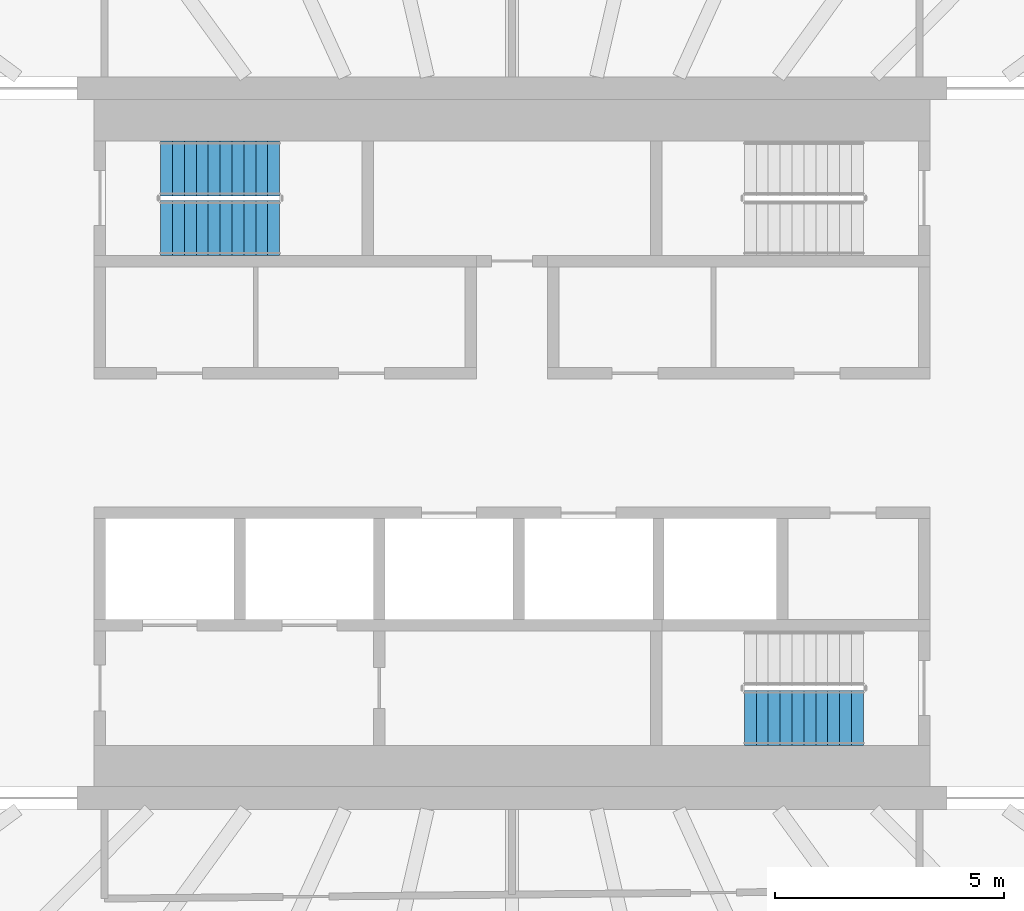
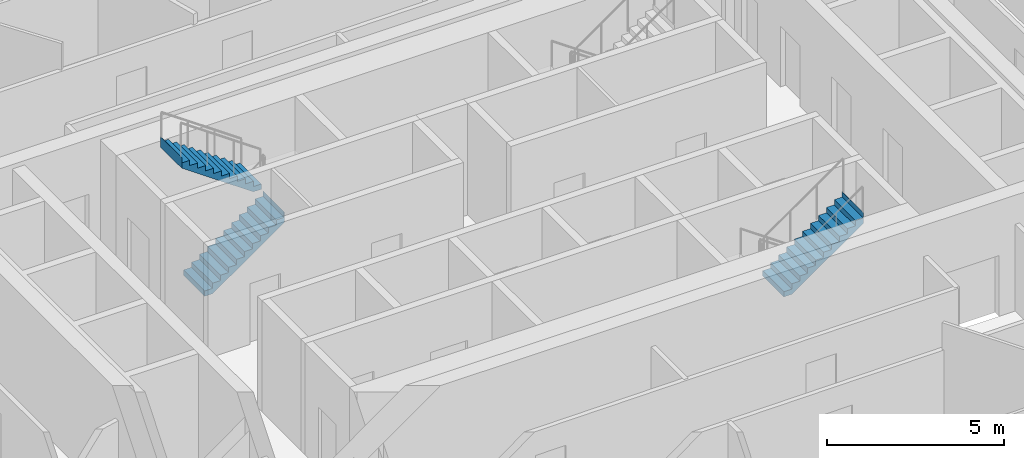
# One storey, part 15 of 22: 3 stair flights, 2 elements without a shape of their own.
"""IFC4 building model written with IfcOpenShell, lengths in metres."""

from ifc_helpers import new_model, si_unit, direction, frame, origin, place, context, subcontext, project, spatial, triangles, material, type_object, element, aggregate, save


model = new_model("IFC4")

# Units and contexts
model_context = context("Model", 3, precision=1e-05, world=origin(), true_north=direction((0.0, 1.0)))
body_context = subcontext(model_context, "Body", "Model", "MODEL_VIEW")
ifc_project = project(units=[si_unit("LENGTHUNIT", "METRE"), si_unit("AREAUNIT", "SQUARE_METRE"), si_unit("VOLUMEUNIT", "CUBIC_METRE"), si_unit("PLANEANGLEUNIT", "RADIAN"), si_unit("MASSUNIT", "GRAM", prefix="KILO")], contexts=[model_context])

# Site, building, storey
site_placement = place(None, origin())
site = spatial("IfcSite", under=ifc_project, at=site_placement, CompositionType="ELEMENT")
building_placement = place(site_placement, origin())
building = spatial("IfcBuilding", under=site, at=building_placement, Name="Sahrelin Media Tower", CompositionType="ELEMENT")
storey_placement = place(building_placement, frame((0.0, 0.0, 177.60009765625)))
storey = spatial("IfcBuildingStorey", under=building, at=storey_placement, Name="L37", CompositionType="ELEMENT", Elevation=177.60009765625)

# Stair, stair flights
ifc_material = material(Name="Concrete C40/50", Category="concrete")
stair_type = type_object("IfcStairType", Name="Exit stair 1200", PredefinedType="HALF_TURN_STAIR", material=ifc_material)
placement = place(storey_placement, origin())
stair_1 = element("IfcStair", 1, at=placement, inside=storey, type_object=stair_type, Name="L37 Exit stair ST1", PredefinedType="HALF_TURN_STAIR")
stair_flight_type = type_object("IfcStairFlightType", Name="Stair flight 1200", PredefinedType="STRAIGHT", material=ifc_material)
stair_flight_1_placement = place(storey_placement, frame((-7.675048828125, 4.699951171875, 0.0), z_axis=(0.0, 0.0, 1.0), x_axis=(1.0, 0.0, 0.0)))
stair_flight_1 = element("IfcStairFlight", 2, at=stair_flight_1_placement, type_object=stair_flight_type, Name="ST1 flight 1", NumberOfRisers=11, NumberOfTreads=10, PredefinedType="STRAIGHT", RiserHeight=0.181818182, TreadLength=0.26, context=body_context, shape_type="Tessellation", body=[
    triangles([(0.261474609375, 0.60009765625, 0.0), (0.261474609375, 0.300048828125, 0.0), (0.261474609375, 0.0, 0.0), (0.261474609375, -0.300048828125, 0.0), (0.261474609375, -0.60009765625, 0.0), (2.60009765625, 0.60009765625, 1.63525390625), (2.60009765625, 0.300048828125, 1.63525390625), (2.60009765625, 0.0, 1.63525390625), (2.60009765625, -0.300048828125, 1.63525390625), (2.60009765625, -0.60009765625, 1.63525390625), (2.60009765625, 0.60009765625, 2.0), (2.60009765625, 0.300048828125, 2.0), (2.60009765625, 0.0, 2.0), (2.60009765625, -0.300048828125, 2.0), (2.60009765625, -0.60009765625, 2.0), (2.597900390625, 0.60009765625, 2.0), (2.597900390625, 0.300048828125, 2.0), (2.597900390625, 0.0, 2.0), (2.597900390625, -0.300048828125, 2.0), (2.597900390625, -0.60009765625, 2.0), (2.597900390625, 0.60009765625, 1.818115234375), (2.597900390625, 0.300048828125, 1.818115234375), (2.597900390625, 0.0, 1.818115234375), (2.597900390625, -0.300048828125, 1.818115234375), (2.597900390625, -0.60009765625, 1.818115234375), (2.340087890625, 0.60009765625, 1.818115234375), (2.340087890625, 0.300048828125, 1.818115234375), (2.340087890625, 0.0, 1.818115234375), (2.340087890625, -0.300048828125, 1.818115234375), (2.340087890625, -0.60009765625, 1.818115234375), (2.340087890625, 0.60009765625, 1.636474609375), (2.340087890625, 0.300048828125, 1.636474609375), (2.340087890625, 0.0, 1.636474609375), (2.340087890625, -0.300048828125, 1.636474609375), (2.340087890625, -0.60009765625, 1.636474609375), (2.080078125, 0.60009765625, 1.636474609375), (2.080078125, 0.300048828125, 1.636474609375), (2.080078125, 0.0, 1.636474609375), (2.080078125, -0.300048828125, 1.636474609375), (2.080078125, -0.60009765625, 1.636474609375), (2.080078125, 0.60009765625, 1.45458984375), (2.080078125, 0.300048828125, 1.45458984375), (2.080078125, 0.0, 1.45458984375), (2.080078125, -0.300048828125, 1.45458984375), (2.080078125, -0.60009765625, 1.45458984375), (1.820068359375, 0.60009765625, 1.45458984375), (1.820068359375, 0.300048828125, 1.45458984375), (1.820068359375, 0.0, 1.45458984375), (1.820068359375, -0.300048828125, 1.45458984375), (1.820068359375, -0.60009765625, 1.45458984375), (1.820068359375, 0.60009765625, 1.272705078125), (1.820068359375, 0.300048828125, 1.272705078125), (1.820068359375, 0.0, 1.272705078125), (1.820068359375, -0.300048828125, 1.272705078125), (1.820068359375, -0.60009765625, 1.272705078125), (1.56005859375, 0.60009765625, 1.272705078125), (1.56005859375, 0.300048828125, 1.272705078125), (1.56005859375, 0.0, 1.272705078125), (1.56005859375, -0.300048828125, 1.272705078125), (1.56005859375, -0.60009765625, 1.272705078125), (1.56005859375, 0.60009765625, 1.0908203125), (1.56005859375, 0.300048828125, 1.0908203125), (1.56005859375, 0.0, 1.0908203125), (1.56005859375, -0.300048828125, 1.0908203125), (1.56005859375, -0.60009765625, 1.0908203125), (1.300048828125, 0.60009765625, 1.0908203125), (1.300048828125, 0.300048828125, 1.0908203125), (1.300048828125, 0.0, 1.0908203125), (1.300048828125, -0.300048828125, 1.0908203125), (1.300048828125, -0.60009765625, 1.0908203125), (1.300048828125, 0.60009765625, 0.9091796875), (1.300048828125, 0.300048828125, 0.9091796875), (1.300048828125, 0.0, 0.9091796875), (1.300048828125, -0.300048828125, 0.9091796875), (1.300048828125, -0.60009765625, 0.9091796875), (1.0400390625, 0.60009765625, 0.9091796875), (1.0400390625, 0.300048828125, 0.9091796875), (1.0400390625, 0.0, 0.9091796875), (1.0400390625, -0.300048828125, 0.9091796875), (1.0400390625, -0.60009765625, 0.9091796875), (1.0400390625, 0.60009765625, 0.727294921875), (1.0400390625, 0.300048828125, 0.727294921875), (1.0400390625, 0.0, 0.727294921875), (1.0400390625, -0.300048828125, 0.727294921875), (1.0400390625, -0.60009765625, 0.727294921875), (0.780029296875, 0.60009765625, 0.727294921875), (0.780029296875, 0.300048828125, 0.727294921875), (0.780029296875, 0.0, 0.727294921875), (0.780029296875, -0.300048828125, 0.727294921875), (0.780029296875, -0.60009765625, 0.727294921875), (0.780029296875, 0.60009765625, 0.54541015625), (0.780029296875, 0.300048828125, 0.54541015625), (0.780029296875, 0.0, 0.54541015625), (0.780029296875, -0.300048828125, 0.54541015625), (0.780029296875, -0.60009765625, 0.54541015625), (0.52001953125, 0.60009765625, 0.54541015625), (0.52001953125, 0.300048828125, 0.54541015625), (0.52001953125, 0.0, 0.54541015625), (0.52001953125, -0.300048828125, 0.54541015625), (0.52001953125, -0.60009765625, 0.54541015625), (0.52001953125, 0.60009765625, 0.363525390625), (0.52001953125, 0.300048828125, 0.363525390625), (0.52001953125, 0.0, 0.363525390625), (0.52001953125, -0.300048828125, 0.363525390625), (0.52001953125, -0.60009765625, 0.363525390625), (0.260009765625, 0.60009765625, 0.363525390625), (0.260009765625, 0.300048828125, 0.363525390625), (0.260009765625, 0.0, 0.363525390625), (0.260009765625, -0.300048828125, 0.363525390625), (0.260009765625, -0.60009765625, 0.363525390625), (0.260009765625, 0.60009765625, 0.181884765625), (0.260009765625, 0.300048828125, 0.181884765625), (0.260009765625, 0.0, 0.181884765625), (0.260009765625, -0.300048828125, 0.181884765625), (0.260009765625, -0.60009765625, 0.181884765625), (0.0, 0.60009765625, 0.181884765625), (0.0, 0.300048828125, 0.181884765625), (0.0, 0.0, 0.181884765625), (0.0, -0.300048828125, 0.181884765625), (0.0, -0.60009765625, 0.181884765625), (0.0, 0.60009765625, 0.0), (0.0, 0.300048828125, 0.0), (0.0, 0.0, 0.0), (0.0, -0.300048828125, 0.0), (0.0, -0.60009765625, 0.0)], [[1, 6, 7], [1, 7, 2], [2, 7, 8], [2, 8, 3], [3, 8, 9], [3, 9, 4], [4, 9, 10], [4, 10, 5], [6, 11, 12], [6, 12, 7], [7, 12, 13], [7, 13, 8], [8, 13, 14], [8, 14, 9], [9, 14, 15], [9, 15, 10], [11, 16, 17], [11, 17, 12], [12, 17, 18], [12, 18, 13], [13, 18, 19], [13, 19, 14], [14, 19, 20], [14, 20, 15], [16, 21, 22], [16, 22, 17], [17, 22, 23], [17, 23, 18], [18, 23, 24], [18, 24, 19], [19, 24, 25], [19, 25, 20], [21, 26, 27], [21, 27, 22], [22, 27, 28], [22, 28, 23], [23, 28, 29], [23, 29, 24], [24, 29, 30], [24, 30, 25], [26, 31, 32], [26, 32, 27], [27, 32, 33], [27, 33, 28], [28, 33, 34], [28, 34, 29], [29, 34, 35], [29, 35, 30], [31, 36, 37], [31, 37, 32], [32, 37, 38], [32, 38, 33], [33, 38, 39], [33, 39, 34], [34, 39, 40], [34, 40, 35], [36, 41, 42], [36, 42, 37], [37, 42, 43], [37, 43, 38], [38, 43, 44], [38, 44, 39], [39, 44, 45], [39, 45, 40], [41, 46, 47], [41, 47, 42], [42, 47, 48], [42, 48, 43], [43, 48, 49], [43, 49, 44], [44, 49, 50], [44, 50, 45], [46, 51, 52], [46, 52, 47], [47, 52, 53], [47, 53, 48], [48, 53, 54], [48, 54, 49], [49, 54, 55], [49, 55, 50], [51, 56, 57], [51, 57, 52], [52, 57, 58], [52, 58, 53], [53, 58, 59], [53, 59, 54], [54, 59, 60], [54, 60, 55], [56, 61, 62], [56, 62, 57], [57, 62, 63], [57, 63, 58], [58, 63, 64], [58, 64, 59], [59, 64, 65], [59, 65, 60], [61, 66, 67], [61, 67, 62], [62, 67, 68], [62, 68, 63], [63, 68, 69], [63, 69, 64], [64, 69, 70], [64, 70, 65], [66, 71, 72], [66, 72, 67], [67, 72, 73], [67, 73, 68], [68, 73, 74], [68, 74, 69], [69, 74, 75], [69, 75, 70], [71, 76, 77], [71, 77, 72], [72, 77, 78], [72, 78, 73], [73, 78, 79], [73, 79, 74], [74, 79, 80], [74, 80, 75], [76, 81, 82], [76, 82, 77], [77, 82, 83], [77, 83, 78], [78, 83, 84], [78, 84, 79], [79, 84, 85], [79, 85, 80], [81, 86, 87], [81, 87, 82], [82, 87, 88], [82, 88, 83], [83, 88, 89], [83, 89, 84], [84, 89, 90], [84, 90, 85], [86, 91, 92], [86, 92, 87], [87, 92, 93], [87, 93, 88], [88, 93, 94], [88, 94, 89], [89, 94, 95], [89, 95, 90], [91, 96, 97], [91, 97, 92], [92, 97, 98], [92, 98, 93], [93, 98, 99], [93, 99, 94], [94, 99, 100], [94, 100, 95], [96, 101, 102], [96, 102, 97], [97, 102, 103], [97, 103, 98], [98, 103, 104], [98, 104, 99], [99, 104, 105], [99, 105, 100], [101, 106, 107], [101, 107, 102], [102, 107, 108], [102, 108, 103], [103, 108, 109], [103, 109, 104], [104, 109, 110], [104, 110, 105], [106, 111, 112], [106, 112, 107], [107, 112, 113], [107, 113, 108], [108, 113, 114], [108, 114, 109], [109, 114, 115], [109, 115, 110], [111, 116, 117], [111, 117, 112], [112, 117, 118], [112, 118, 113], [113, 118, 119], [113, 119, 114], [114, 119, 120], [114, 120, 115], [116, 121, 122], [116, 122, 117], [117, 122, 123], [117, 123, 118], [118, 123, 124], [118, 124, 119], [119, 124, 125], [119, 125, 120], [121, 1, 2], [121, 2, 122], [122, 2, 3], [122, 3, 123], [123, 3, 4], [123, 4, 124], [124, 4, 5], [124, 5, 125], [115, 120, 125], [111, 121, 116], [115, 105, 110], [111, 106, 101], [105, 95, 100], [101, 96, 91], [95, 85, 90], [91, 86, 81], [85, 75, 80], [81, 76, 71], [75, 65, 70], [71, 66, 61], [65, 55, 60], [61, 56, 51], [55, 45, 50], [51, 46, 41], [45, 35, 40], [41, 36, 31], [35, 25, 30], [31, 26, 21], [25, 15, 20], [21, 16, 11], [125, 5, 115], [121, 111, 1], [25, 10, 15], [21, 11, 6], [105, 115, 5], [101, 1, 111], [35, 10, 25], [31, 21, 6], [95, 105, 5], [91, 1, 101], [45, 10, 35], [41, 31, 6], [85, 95, 5], [81, 1, 91], [55, 10, 45], [51, 41, 6], [75, 85, 5], [71, 1, 81], [65, 10, 55], [61, 51, 6], [5, 10, 75], [1, 71, 6], [75, 10, 65], [71, 61, 6]], closed=True),
])
stair_flight_2_placement = place(storey_placement, frame((-5.074951171875, 6.0, 2.0), z_axis=(0.0, 0.0, 1.0), x_axis=(-1.0, 0.0, 0.0)))
stair_flight_2 = element("IfcStairFlight", 3, at=stair_flight_2_placement, type_object=stair_flight_type, Name="ST1 flight 2", NumberOfRisers=11, NumberOfTreads=10, PredefinedType="STRAIGHT", RiserHeight=0.181818182, TreadLength=0.26, context=body_context, shape_type="Tessellation", body=[
    triangles([(0.261474609375, 0.60009765625, 0.0), (0.261474609375, 0.300048828125, 0.0), (0.261474609375, 0.0, 0.0), (0.261474609375, -0.300048828125, 0.0), (0.261474609375, -0.60009765625, 0.0), (2.60009765625, 0.60009765625, 1.63525390625), (2.60009765625, 0.300048828125, 1.63525390625), (2.60009765625, 0.0, 1.63525390625), (2.60009765625, -0.300048828125, 1.63525390625), (2.60009765625, -0.60009765625, 1.63525390625), (2.60009765625, 0.60009765625, 2.0), (2.60009765625, 0.300048828125, 2.0), (2.60009765625, 0.0, 2.0), (2.60009765625, -0.300048828125, 2.0), (2.60009765625, -0.60009765625, 2.0), (2.597900390625, 0.60009765625, 2.0), (2.597900390625, 0.300048828125, 2.0), (2.597900390625, 0.0, 2.0), (2.597900390625, -0.300048828125, 2.0), (2.597900390625, -0.60009765625, 2.0), (2.597900390625, 0.60009765625, 1.818115234375), (2.597900390625, 0.300048828125, 1.818115234375), (2.597900390625, 0.0, 1.818115234375), (2.597900390625, -0.300048828125, 1.818115234375), (2.597900390625, -0.60009765625, 1.818115234375), (2.340087890625, 0.60009765625, 1.818115234375), (2.340087890625, 0.300048828125, 1.818115234375), (2.340087890625, 0.0, 1.818115234375), (2.340087890625, -0.300048828125, 1.818115234375), (2.340087890625, -0.60009765625, 1.818115234375), (2.340087890625, 0.60009765625, 1.636474609375), (2.340087890625, 0.300048828125, 1.636474609375), (2.340087890625, 0.0, 1.636474609375), (2.340087890625, -0.300048828125, 1.636474609375), (2.340087890625, -0.60009765625, 1.636474609375), (2.080078125, 0.60009765625, 1.636474609375), (2.080078125, 0.300048828125, 1.636474609375), (2.080078125, 0.0, 1.636474609375), (2.080078125, -0.300048828125, 1.636474609375), (2.080078125, -0.60009765625, 1.636474609375), (2.080078125, 0.60009765625, 1.45458984375), (2.080078125, 0.300048828125, 1.45458984375), (2.080078125, 0.0, 1.45458984375), (2.080078125, -0.300048828125, 1.45458984375), (2.080078125, -0.60009765625, 1.45458984375), (1.820068359375, 0.60009765625, 1.45458984375), (1.820068359375, 0.300048828125, 1.45458984375), (1.820068359375, 0.0, 1.45458984375), (1.820068359375, -0.300048828125, 1.45458984375), (1.820068359375, -0.60009765625, 1.45458984375), (1.820068359375, 0.60009765625, 1.272705078125), (1.820068359375, 0.300048828125, 1.272705078125), (1.820068359375, 0.0, 1.272705078125), (1.820068359375, -0.300048828125, 1.272705078125), (1.820068359375, -0.60009765625, 1.272705078125), (1.56005859375, 0.60009765625, 1.272705078125), (1.56005859375, 0.300048828125, 1.272705078125), (1.56005859375, 0.0, 1.272705078125), (1.56005859375, -0.300048828125, 1.272705078125), (1.56005859375, -0.60009765625, 1.272705078125), (1.56005859375, 0.60009765625, 1.0908203125), (1.56005859375, 0.300048828125, 1.0908203125), (1.56005859375, 0.0, 1.0908203125), (1.56005859375, -0.300048828125, 1.0908203125), (1.56005859375, -0.60009765625, 1.0908203125), (1.300048828125, 0.60009765625, 1.0908203125), (1.300048828125, 0.300048828125, 1.0908203125), (1.300048828125, 0.0, 1.0908203125), (1.300048828125, -0.300048828125, 1.0908203125), (1.300048828125, -0.60009765625, 1.0908203125), (1.300048828125, 0.60009765625, 0.9091796875), (1.300048828125, 0.300048828125, 0.9091796875), (1.300048828125, 0.0, 0.9091796875), (1.300048828125, -0.300048828125, 0.9091796875), (1.300048828125, -0.60009765625, 0.9091796875), (1.0400390625, 0.60009765625, 0.9091796875), (1.0400390625, 0.300048828125, 0.9091796875), (1.0400390625, 0.0, 0.9091796875), (1.0400390625, -0.300048828125, 0.9091796875), (1.0400390625, -0.60009765625, 0.9091796875), (1.0400390625, 0.60009765625, 0.727294921875), (1.0400390625, 0.300048828125, 0.727294921875), (1.0400390625, 0.0, 0.727294921875), (1.0400390625, -0.300048828125, 0.727294921875), (1.0400390625, -0.60009765625, 0.727294921875), (0.780029296875, 0.60009765625, 0.727294921875), (0.780029296875, 0.300048828125, 0.727294921875), (0.780029296875, 0.0, 0.727294921875), (0.780029296875, -0.300048828125, 0.727294921875), (0.780029296875, -0.60009765625, 0.727294921875), (0.780029296875, 0.60009765625, 0.54541015625), (0.780029296875, 0.300048828125, 0.54541015625), (0.780029296875, 0.0, 0.54541015625), (0.780029296875, -0.300048828125, 0.54541015625), (0.780029296875, -0.60009765625, 0.54541015625), (0.52001953125, 0.60009765625, 0.54541015625), (0.52001953125, 0.300048828125, 0.54541015625), (0.52001953125, 0.0, 0.54541015625), (0.52001953125, -0.300048828125, 0.54541015625), (0.52001953125, -0.60009765625, 0.54541015625), (0.52001953125, 0.60009765625, 0.363525390625), (0.52001953125, 0.300048828125, 0.363525390625), (0.52001953125, 0.0, 0.363525390625), (0.52001953125, -0.300048828125, 0.363525390625), (0.52001953125, -0.60009765625, 0.363525390625), (0.260009765625, 0.60009765625, 0.363525390625), (0.260009765625, 0.300048828125, 0.363525390625), (0.260009765625, 0.0, 0.363525390625), (0.260009765625, -0.300048828125, 0.363525390625), (0.260009765625, -0.60009765625, 0.363525390625), (0.260009765625, 0.60009765625, 0.181884765625), (0.260009765625, 0.300048828125, 0.181884765625), (0.260009765625, 0.0, 0.181884765625), (0.260009765625, -0.300048828125, 0.181884765625), (0.260009765625, -0.60009765625, 0.181884765625), (0.0, 0.60009765625, 0.181884765625), (0.0, 0.300048828125, 0.181884765625), (0.0, 0.0, 0.181884765625), (0.0, -0.300048828125, 0.181884765625), (0.0, -0.60009765625, 0.181884765625), (0.0, 0.60009765625, 0.0), (0.0, 0.300048828125, 0.0), (0.0, 0.0, 0.0), (0.0, -0.300048828125, 0.0), (0.0, -0.60009765625, 0.0)], [[1, 6, 7], [1, 7, 2], [2, 7, 8], [2, 8, 3], [3, 8, 9], [3, 9, 4], [4, 9, 10], [4, 10, 5], [6, 11, 12], [6, 12, 7], [7, 12, 13], [7, 13, 8], [8, 13, 14], [8, 14, 9], [9, 14, 15], [9, 15, 10], [11, 16, 17], [11, 17, 12], [12, 17, 18], [12, 18, 13], [13, 18, 19], [13, 19, 14], [14, 19, 20], [14, 20, 15], [16, 21, 22], [16, 22, 17], [17, 22, 23], [17, 23, 18], [18, 23, 24], [18, 24, 19], [19, 24, 25], [19, 25, 20], [21, 26, 27], [21, 27, 22], [22, 27, 28], [22, 28, 23], [23, 28, 29], [23, 29, 24], [24, 29, 30], [24, 30, 25], [26, 31, 32], [26, 32, 27], [27, 32, 33], [27, 33, 28], [28, 33, 34], [28, 34, 29], [29, 34, 35], [29, 35, 30], [31, 36, 37], [31, 37, 32], [32, 37, 38], [32, 38, 33], [33, 38, 39], [33, 39, 34], [34, 39, 40], [34, 40, 35], [36, 41, 42], [36, 42, 37], [37, 42, 43], [37, 43, 38], [38, 43, 44], [38, 44, 39], [39, 44, 45], [39, 45, 40], [41, 46, 47], [41, 47, 42], [42, 47, 48], [42, 48, 43], [43, 48, 49], [43, 49, 44], [44, 49, 50], [44, 50, 45], [46, 51, 52], [46, 52, 47], [47, 52, 53], [47, 53, 48], [48, 53, 54], [48, 54, 49], [49, 54, 55], [49, 55, 50], [51, 56, 57], [51, 57, 52], [52, 57, 58], [52, 58, 53], [53, 58, 59], [53, 59, 54], [54, 59, 60], [54, 60, 55], [56, 61, 62], [56, 62, 57], [57, 62, 63], [57, 63, 58], [58, 63, 64], [58, 64, 59], [59, 64, 65], [59, 65, 60], [61, 66, 67], [61, 67, 62], [62, 67, 68], [62, 68, 63], [63, 68, 69], [63, 69, 64], [64, 69, 70], [64, 70, 65], [66, 71, 72], [66, 72, 67], [67, 72, 73], [67, 73, 68], [68, 73, 74], [68, 74, 69], [69, 74, 75], [69, 75, 70], [71, 76, 77], [71, 77, 72], [72, 77, 78], [72, 78, 73], [73, 78, 79], [73, 79, 74], [74, 79, 80], [74, 80, 75], [76, 81, 82], [76, 82, 77], [77, 82, 83], [77, 83, 78], [78, 83, 84], [78, 84, 79], [79, 84, 85], [79, 85, 80], [81, 86, 87], [81, 87, 82], [82, 87, 88], [82, 88, 83], [83, 88, 89], [83, 89, 84], [84, 89, 90], [84, 90, 85], [86, 91, 92], [86, 92, 87], [87, 92, 93], [87, 93, 88], [88, 93, 94], [88, 94, 89], [89, 94, 95], [89, 95, 90], [91, 96, 97], [91, 97, 92], [92, 97, 98], [92, 98, 93], [93, 98, 99], [93, 99, 94], [94, 99, 100], [94, 100, 95], [96, 101, 102], [96, 102, 97], [97, 102, 103], [97, 103, 98], [98, 103, 104], [98, 104, 99], [99, 104, 105], [99, 105, 100], [101, 106, 107], [101, 107, 102], [102, 107, 108], [102, 108, 103], [103, 108, 109], [103, 109, 104], [104, 109, 110], [104, 110, 105], [106, 111, 112], [106, 112, 107], [107, 112, 113], [107, 113, 108], [108, 113, 114], [108, 114, 109], [109, 114, 115], [109, 115, 110], [111, 116, 117], [111, 117, 112], [112, 117, 118], [112, 118, 113], [113, 118, 119], [113, 119, 114], [114, 119, 120], [114, 120, 115], [116, 121, 122], [116, 122, 117], [117, 122, 123], [117, 123, 118], [118, 123, 124], [118, 124, 119], [119, 124, 125], [119, 125, 120], [121, 1, 2], [121, 2, 122], [122, 2, 3], [122, 3, 123], [123, 3, 4], [123, 4, 124], [124, 4, 5], [124, 5, 125], [115, 120, 125], [111, 121, 116], [115, 105, 110], [111, 106, 101], [105, 95, 100], [101, 96, 91], [95, 85, 90], [91, 86, 81], [85, 75, 80], [81, 76, 71], [75, 65, 70], [71, 66, 61], [65, 55, 60], [61, 56, 51], [55, 45, 50], [51, 46, 41], [45, 35, 40], [41, 36, 31], [35, 25, 30], [31, 26, 21], [25, 15, 20], [21, 16, 11], [125, 5, 115], [121, 111, 1], [25, 10, 15], [21, 11, 6], [105, 115, 5], [101, 1, 111], [35, 10, 25], [31, 21, 6], [95, 105, 5], [91, 1, 101], [45, 10, 35], [41, 31, 6], [85, 95, 5], [81, 1, 91], [55, 10, 45], [51, 41, 6], [75, 85, 5], [71, 1, 81], [65, 10, 55], [61, 51, 6], [5, 10, 75], [1, 71, 6], [75, 10, 65], [71, 61, 6]], closed=True),
])
aggregate(stair_1, [stair_flight_1, stair_flight_2])

# Stair, stair flight
stair_2 = element("IfcStair", 4, at=placement, inside=storey, type_object=stair_type, Name="L37 Exit stair ST2", PredefinedType="HALF_TURN_STAIR")
stair_flight_3_placement = place(storey_placement, frame((5.074951171875, -6.0, 2.0), z_axis=(0.0, 0.0, 1.0), x_axis=(1.0, 0.0, 0.0)))
stair_flight_3 = element("IfcStairFlight", 5, at=stair_flight_3_placement, type_object=stair_flight_type, Name="ST2 flight 2", NumberOfRisers=11, NumberOfTreads=10, PredefinedType="STRAIGHT", RiserHeight=0.181818182, TreadLength=0.26, context=body_context, shape_type="Tessellation", body=[
    triangles([(0.261474609375, 0.60009765625, 0.0), (0.261474609375, 0.300048828125, 0.0), (0.261474609375, 0.0, 0.0), (0.261474609375, -0.300048828125, 0.0), (0.261474609375, -0.60009765625, 0.0), (2.60009765625, 0.60009765625, 1.63525390625), (2.60009765625, 0.300048828125, 1.63525390625), (2.60009765625, 0.0, 1.63525390625), (2.60009765625, -0.300048828125, 1.63525390625), (2.60009765625, -0.60009765625, 1.63525390625), (2.60009765625, 0.60009765625, 2.0), (2.60009765625, 0.300048828125, 2.0), (2.60009765625, 0.0, 2.0), (2.60009765625, -0.300048828125, 2.0), (2.60009765625, -0.60009765625, 2.0), (2.597900390625, 0.60009765625, 2.0), (2.597900390625, 0.300048828125, 2.0), (2.597900390625, 0.0, 2.0), (2.597900390625, -0.300048828125, 2.0), (2.597900390625, -0.60009765625, 2.0), (2.597900390625, 0.60009765625, 1.818115234375), (2.597900390625, 0.300048828125, 1.818115234375), (2.597900390625, 0.0, 1.818115234375), (2.597900390625, -0.300048828125, 1.818115234375), (2.597900390625, -0.60009765625, 1.818115234375), (2.340087890625, 0.60009765625, 1.818115234375), (2.340087890625, 0.300048828125, 1.818115234375), (2.340087890625, 0.0, 1.818115234375), (2.340087890625, -0.300048828125, 1.818115234375), (2.340087890625, -0.60009765625, 1.818115234375), (2.340087890625, 0.60009765625, 1.636474609375), (2.340087890625, 0.300048828125, 1.636474609375), (2.340087890625, 0.0, 1.636474609375), (2.340087890625, -0.300048828125, 1.636474609375), (2.340087890625, -0.60009765625, 1.636474609375), (2.080078125, 0.60009765625, 1.636474609375), (2.080078125, 0.300048828125, 1.636474609375), (2.080078125, 0.0, 1.636474609375), (2.080078125, -0.300048828125, 1.636474609375), (2.080078125, -0.60009765625, 1.636474609375), (2.080078125, 0.60009765625, 1.45458984375), (2.080078125, 0.300048828125, 1.45458984375), (2.080078125, 0.0, 1.45458984375), (2.080078125, -0.300048828125, 1.45458984375), (2.080078125, -0.60009765625, 1.45458984375), (1.820068359375, 0.60009765625, 1.45458984375), (1.820068359375, 0.300048828125, 1.45458984375), (1.820068359375, 0.0, 1.45458984375), (1.820068359375, -0.300048828125, 1.45458984375), (1.820068359375, -0.60009765625, 1.45458984375), (1.820068359375, 0.60009765625, 1.272705078125), (1.820068359375, 0.300048828125, 1.272705078125), (1.820068359375, 0.0, 1.272705078125), (1.820068359375, -0.300048828125, 1.272705078125), (1.820068359375, -0.60009765625, 1.272705078125), (1.56005859375, 0.60009765625, 1.272705078125), (1.56005859375, 0.300048828125, 1.272705078125), (1.56005859375, 0.0, 1.272705078125), (1.56005859375, -0.300048828125, 1.272705078125), (1.56005859375, -0.60009765625, 1.272705078125), (1.56005859375, 0.60009765625, 1.0908203125), (1.56005859375, 0.300048828125, 1.0908203125), (1.56005859375, 0.0, 1.0908203125), (1.56005859375, -0.300048828125, 1.0908203125), (1.56005859375, -0.60009765625, 1.0908203125), (1.300048828125, 0.60009765625, 1.0908203125), (1.300048828125, 0.300048828125, 1.0908203125), (1.300048828125, 0.0, 1.0908203125), (1.300048828125, -0.300048828125, 1.0908203125), (1.300048828125, -0.60009765625, 1.0908203125), (1.300048828125, 0.60009765625, 0.9091796875), (1.300048828125, 0.300048828125, 0.9091796875), (1.300048828125, 0.0, 0.9091796875), (1.300048828125, -0.300048828125, 0.9091796875), (1.300048828125, -0.60009765625, 0.9091796875), (1.0400390625, 0.60009765625, 0.9091796875), (1.0400390625, 0.300048828125, 0.9091796875), (1.0400390625, 0.0, 0.9091796875), (1.0400390625, -0.300048828125, 0.9091796875), (1.0400390625, -0.60009765625, 0.9091796875), (1.0400390625, 0.60009765625, 0.727294921875), (1.0400390625, 0.300048828125, 0.727294921875), (1.0400390625, 0.0, 0.727294921875), (1.0400390625, -0.300048828125, 0.727294921875), (1.0400390625, -0.60009765625, 0.727294921875), (0.780029296875, 0.60009765625, 0.727294921875), (0.780029296875, 0.300048828125, 0.727294921875), (0.780029296875, 0.0, 0.727294921875), (0.780029296875, -0.300048828125, 0.727294921875), (0.780029296875, -0.60009765625, 0.727294921875), (0.780029296875, 0.60009765625, 0.54541015625), (0.780029296875, 0.300048828125, 0.54541015625), (0.780029296875, 0.0, 0.54541015625), (0.780029296875, -0.300048828125, 0.54541015625), (0.780029296875, -0.60009765625, 0.54541015625), (0.52001953125, 0.60009765625, 0.54541015625), (0.52001953125, 0.300048828125, 0.54541015625), (0.52001953125, 0.0, 0.54541015625), (0.52001953125, -0.300048828125, 0.54541015625), (0.52001953125, -0.60009765625, 0.54541015625), (0.52001953125, 0.60009765625, 0.363525390625), (0.52001953125, 0.300048828125, 0.363525390625), (0.52001953125, 0.0, 0.363525390625), (0.52001953125, -0.300048828125, 0.363525390625), (0.52001953125, -0.60009765625, 0.363525390625), (0.260009765625, 0.60009765625, 0.363525390625), (0.260009765625, 0.300048828125, 0.363525390625), (0.260009765625, 0.0, 0.363525390625), (0.260009765625, -0.300048828125, 0.363525390625), (0.260009765625, -0.60009765625, 0.363525390625), (0.260009765625, 0.60009765625, 0.181884765625), (0.260009765625, 0.300048828125, 0.181884765625), (0.260009765625, 0.0, 0.181884765625), (0.260009765625, -0.300048828125, 0.181884765625), (0.260009765625, -0.60009765625, 0.181884765625), (0.0, 0.60009765625, 0.181884765625), (0.0, 0.300048828125, 0.181884765625), (0.0, 0.0, 0.181884765625), (0.0, -0.300048828125, 0.181884765625), (0.0, -0.60009765625, 0.181884765625), (0.0, 0.60009765625, 0.0), (0.0, 0.300048828125, 0.0), (0.0, 0.0, 0.0), (0.0, -0.300048828125, 0.0), (0.0, -0.60009765625, 0.0)], [[1, 6, 7], [1, 7, 2], [2, 7, 8], [2, 8, 3], [3, 8, 9], [3, 9, 4], [4, 9, 10], [4, 10, 5], [6, 11, 12], [6, 12, 7], [7, 12, 13], [7, 13, 8], [8, 13, 14], [8, 14, 9], [9, 14, 15], [9, 15, 10], [11, 16, 17], [11, 17, 12], [12, 17, 18], [12, 18, 13], [13, 18, 19], [13, 19, 14], [14, 19, 20], [14, 20, 15], [16, 21, 22], [16, 22, 17], [17, 22, 23], [17, 23, 18], [18, 23, 24], [18, 24, 19], [19, 24, 25], [19, 25, 20], [21, 26, 27], [21, 27, 22], [22, 27, 28], [22, 28, 23], [23, 28, 29], [23, 29, 24], [24, 29, 30], [24, 30, 25], [26, 31, 32], [26, 32, 27], [27, 32, 33], [27, 33, 28], [28, 33, 34], [28, 34, 29], [29, 34, 35], [29, 35, 30], [31, 36, 37], [31, 37, 32], [32, 37, 38], [32, 38, 33], [33, 38, 39], [33, 39, 34], [34, 39, 40], [34, 40, 35], [36, 41, 42], [36, 42, 37], [37, 42, 43], [37, 43, 38], [38, 43, 44], [38, 44, 39], [39, 44, 45], [39, 45, 40], [41, 46, 47], [41, 47, 42], [42, 47, 48], [42, 48, 43], [43, 48, 49], [43, 49, 44], [44, 49, 50], [44, 50, 45], [46, 51, 52], [46, 52, 47], [47, 52, 53], [47, 53, 48], [48, 53, 54], [48, 54, 49], [49, 54, 55], [49, 55, 50], [51, 56, 57], [51, 57, 52], [52, 57, 58], [52, 58, 53], [53, 58, 59], [53, 59, 54], [54, 59, 60], [54, 60, 55], [56, 61, 62], [56, 62, 57], [57, 62, 63], [57, 63, 58], [58, 63, 64], [58, 64, 59], [59, 64, 65], [59, 65, 60], [61, 66, 67], [61, 67, 62], [62, 67, 68], [62, 68, 63], [63, 68, 69], [63, 69, 64], [64, 69, 70], [64, 70, 65], [66, 71, 72], [66, 72, 67], [67, 72, 73], [67, 73, 68], [68, 73, 74], [68, 74, 69], [69, 74, 75], [69, 75, 70], [71, 76, 77], [71, 77, 72], [72, 77, 78], [72, 78, 73], [73, 78, 79], [73, 79, 74], [74, 79, 80], [74, 80, 75], [76, 81, 82], [76, 82, 77], [77, 82, 83], [77, 83, 78], [78, 83, 84], [78, 84, 79], [79, 84, 85], [79, 85, 80], [81, 86, 87], [81, 87, 82], [82, 87, 88], [82, 88, 83], [83, 88, 89], [83, 89, 84], [84, 89, 90], [84, 90, 85], [86, 91, 92], [86, 92, 87], [87, 92, 93], [87, 93, 88], [88, 93, 94], [88, 94, 89], [89, 94, 95], [89, 95, 90], [91, 96, 97], [91, 97, 92], [92, 97, 98], [92, 98, 93], [93, 98, 99], [93, 99, 94], [94, 99, 100], [94, 100, 95], [96, 101, 102], [96, 102, 97], [97, 102, 103], [97, 103, 98], [98, 103, 104], [98, 104, 99], [99, 104, 105], [99, 105, 100], [101, 106, 107], [101, 107, 102], [102, 107, 108], [102, 108, 103], [103, 108, 109], [103, 109, 104], [104, 109, 110], [104, 110, 105], [106, 111, 112], [106, 112, 107], [107, 112, 113], [107, 113, 108], [108, 113, 114], [108, 114, 109], [109, 114, 115], [109, 115, 110], [111, 116, 117], [111, 117, 112], [112, 117, 118], [112, 118, 113], [113, 118, 119], [113, 119, 114], [114, 119, 120], [114, 120, 115], [116, 121, 122], [116, 122, 117], [117, 122, 123], [117, 123, 118], [118, 123, 124], [118, 124, 119], [119, 124, 125], [119, 125, 120], [121, 1, 2], [121, 2, 122], [122, 2, 3], [122, 3, 123], [123, 3, 4], [123, 4, 124], [124, 4, 5], [124, 5, 125], [115, 120, 125], [111, 121, 116], [115, 105, 110], [111, 106, 101], [105, 95, 100], [101, 96, 91], [95, 85, 90], [91, 86, 81], [85, 75, 80], [81, 76, 71], [75, 65, 70], [71, 66, 61], [65, 55, 60], [61, 56, 51], [55, 45, 50], [51, 46, 41], [45, 35, 40], [41, 36, 31], [35, 25, 30], [31, 26, 21], [25, 15, 20], [21, 16, 11], [125, 5, 115], [121, 111, 1], [25, 10, 15], [21, 11, 6], [105, 115, 5], [101, 1, 111], [35, 10, 25], [31, 21, 6], [95, 105, 5], [91, 1, 101], [45, 10, 35], [41, 31, 6], [85, 95, 5], [81, 1, 91], [55, 10, 45], [51, 41, 6], [75, 85, 5], [71, 1, 81], [65, 10, 55], [61, 51, 6], [5, 10, 75], [1, 71, 6], [75, 10, 65], [71, 61, 6]], closed=True),
])
aggregate(stair_2, [stair_flight_3])

save(model, "model.ifc")
